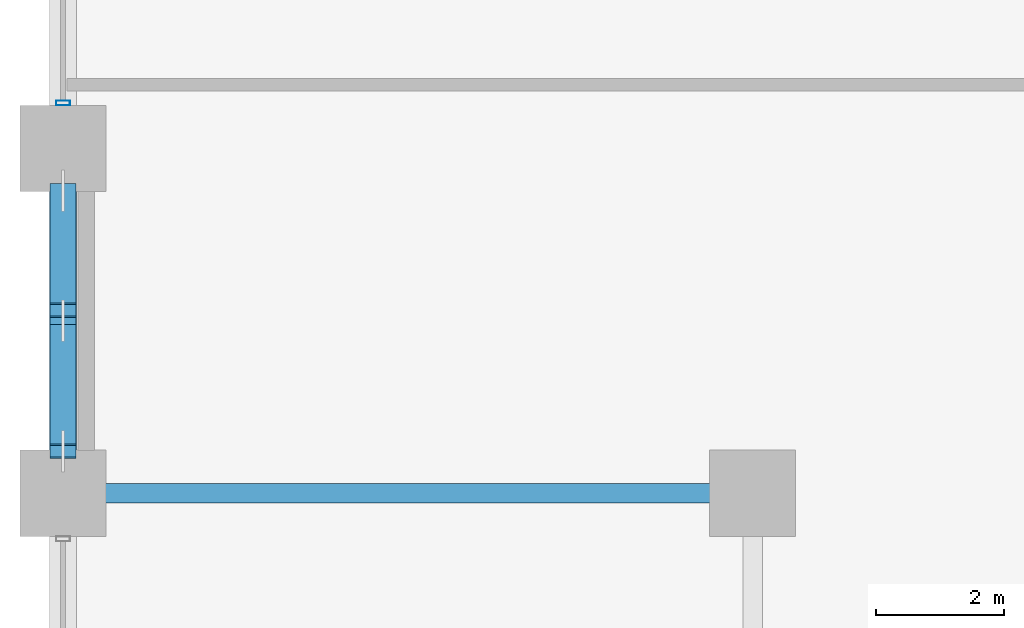
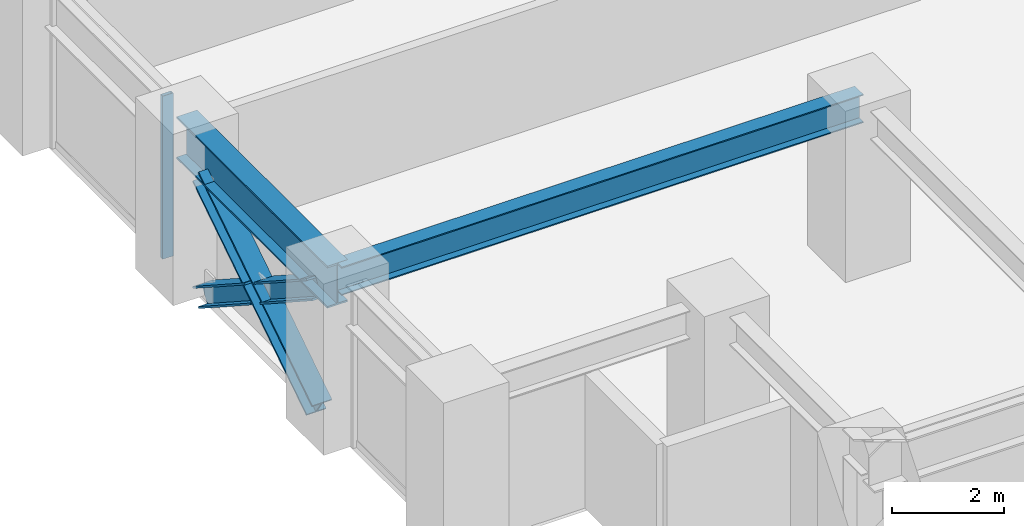
# One storey, part 3 of 24: 4 members, 2 beams, 1 element without a shape of its own.
"""IFC4 building model written with IfcOpenShell, lengths in metres."""

import ifcopenshell
import ifcopenshell.guid

model = None  # the IFC model being written
_history = None  # IfcOwnerHistory: only IFC2X3 demands one
_inside = {}  # id of a spatial element -> (the spatial element, [elements in it])
_under = {}  # id of a project, library or spatial element -> (it, [spatial elements below it])
_declared = {}  # id of a project -> (the project, [libraries it declares])
_typed = {}  # id of a type object -> (the type object, [elements of that type])
_made_of = {}  # id of a material, layer set ... -> (it, [elements and type objects made of it])


def new_model(schema):
    """Start an empty IFC model of exactly this schema.

    Asked for "IFC4X3", IfcOpenShell would pick the latest addendum, in which some entities
    have other attributes; the version numbers below select the first issue.
    IFC2X3 requires an IfcOwnerHistory on every rooted entity: one is made here for all.
    """
    global model, _history
    if schema == "IFC4X3":
        model = ifcopenshell.file(schema_version=(4, 3, 0, 0))
    else:
        model = ifcopenshell.file(schema=schema)
    _inside.clear()
    _under.clear()
    _declared.clear()
    _typed.clear()
    _made_of.clear()
    _history = None
    if model.schema == "IFC2X3":
        org = make("IfcOrganization", Name="unknown")
        user = make(
            "IfcPersonAndOrganization",
            ThePerson=make("IfcPerson", FamilyName="unknown"),
            TheOrganization=org,
        )
        app = make(
            "IfcApplication",
            ApplicationDeveloper=org,
            Version="unknown",
            ApplicationFullName="unknown",
            ApplicationIdentifier="unknown",
        )
        _history = make(
            "IfcOwnerHistory",
            OwningUser=user,
            OwningApplication=app,
            ChangeAction="ADDED",
            CreationDate=0,
        )
    return model


def make(cls, **values):
    """One entity of the class cls with the attributes given. An attribute that is None is left unset."""
    return model.create_entity(
        cls, **{name: value for name, value in values.items() if value is not None}
    )


def rooted(cls, **values):
    """An entity with a GlobalId (a new one), such as an element, a storey or a relation."""
    return make(cls, GlobalId=ifcopenshell.guid.new(), OwnerHistory=_history, **values)


def si_unit(unit_type, name, prefix=None):
    """IfcSIUnit, for example si_unit("LENGTHUNIT", "METRE", prefix="MILLI")."""
    return make("IfcSIUnit", UnitType=unit_type, Prefix=prefix, Name=name)


def assignment(units):
    """IfcUnitAssignment: the units of a project."""
    return None if units is None else make("IfcUnitAssignment", Units=units)


def point(xyz):
    """IfcCartesianPoint."""
    return None if xyz is None else make("IfcCartesianPoint", Coordinates=xyz)


def direction(xyz):
    """IfcDirection."""
    return None if xyz is None else make("IfcDirection", DirectionRatios=xyz)


def frame(location, z_axis=None, x_axis=None):
    """IfcAxis2Placement3D, a coordinate frame: its origin and axes. An axis left out is left unset."""
    return make(
        "IfcAxis2Placement3D",
        Location=point(location),
        Axis=direction(z_axis),
        RefDirection=direction(x_axis),
    )


def frame_2d(location, x_axis=None):
    """IfcAxis2Placement2D, a coordinate frame in the plane: its origin and x axis."""
    return make(
        "IfcAxis2Placement2D", Location=point(location), RefDirection=direction(x_axis)
    )


def origin():
    """The frame at (0, 0, 0) with its axes left unset."""
    return frame((0.0, 0.0, 0.0))


def origin_2d():
    """The frame at (0, 0) in the plane with its x axis left unset."""
    return frame_2d((0.0, 0.0))


def place(relative_to, where):
    """IfcLocalPlacement: puts the frame where relative to a parent placement (None: the world)."""
    return make(
        "IfcLocalPlacement", PlacementRelTo=relative_to, RelativePlacement=where
    )


def context(
    kind, dimensions, precision=None, world=None, true_north=None, identifier=None
):
    """IfcGeometricRepresentationContext, for example the 3D "Model" context."""
    return make(
        "IfcGeometricRepresentationContext",
        ContextIdentifier=identifier,
        ContextType=kind,
        CoordinateSpaceDimension=dimensions,
        Precision=precision,
        WorldCoordinateSystem=world,
        TrueNorth=true_north,
    )


def subcontext(parent, identifier, kind, view, scale=None):
    """IfcGeometricRepresentationSubContext, for example "Body" below "Model"."""
    return make(
        "IfcGeometricRepresentationSubContext",
        ContextIdentifier=identifier,
        ContextType=kind,
        ParentContext=parent,
        TargetScale=scale,
        TargetView=view,
    )


def project(units=None, contexts=None):
    """IfcProject with its units and contexts."""
    return rooted(
        "IfcProject",
        Name="project",
        RepresentationContexts=contexts,
        UnitsInContext=assignment(units),
    )


def spatial(cls, under=None, at=None, **own):
    """A site, building, storey or space (cls), placed at a placement, below another one or the project."""
    s = rooted(cls, ObjectPlacement=at, **own)
    if under is not None:
        _under.setdefault(under.id(), (under, []))[1].append(s)
    return s


def profile(cls, at=None, kind="AREA", **sizes):
    """A parametric profile (cls). Its sizes go by their IFC names, for example OverallWidth=200.0."""
    return make(cls, ProfileType=kind, Position=at, **sizes)


def hollow_rectangle(**sizes):
    """IfcRectangleHollowProfileDef."""
    return profile("IfcRectangleHollowProfileDef", **sizes)


def i_section(**sizes):
    """IfcIShapeProfileDef."""
    return profile("IfcIShapeProfileDef", **sizes)


def extrude(swept, where, along, depth):
    """IfcExtrudedAreaSolid: the profile swept, set in the frame where, extruded along a direction by depth."""
    return make(
        "IfcExtrudedAreaSolid",
        SweptArea=swept,
        Position=where,
        ExtrudedDirection=direction(along),
        Depth=depth,
    )


def shape(context_of_items, identifier, shape_type, items):
    """IfcShapeRepresentation: the items that make up one representation, for example the "Body"."""
    return make(
        "IfcShapeRepresentation",
        ContextOfItems=context_of_items,
        RepresentationIdentifier=identifier,
        RepresentationType=shape_type,
        Items=items,
    )


def material(Name=None, Category=None):
    """IfcMaterial."""
    return make("IfcMaterial", Name=Name, Category=Category)


def layer(
    of_material, thickness, ventilated=None, Name=None, Category=None, Priority=None
):
    """IfcMaterialLayer: one layer of a wall or slab, of a material (None: an air gap)."""
    return make(
        "IfcMaterialLayer",
        Material=of_material,
        LayerThickness=thickness,
        IsVentilated=ventilated,
        Name=Name,
        Category=Category,
        Priority=Priority,
    )


def layer_set(layers, Name=None):
    """IfcMaterialLayerSet."""
    return make("IfcMaterialLayerSet", MaterialLayers=layers, LayerSetName=Name)


def material_profile(
    of_material, cross_section, Name=None, Category=None, Priority=None
):
    """IfcMaterialProfile: a cross section and its material."""
    return make(
        "IfcMaterialProfile",
        Name=Name,
        Material=of_material,
        Profile=cross_section,
        Priority=Priority,
        Category=Category,
    )


def profile_set(profiles, Name=None, composite=None):
    """IfcMaterialProfileSet."""
    return make(
        "IfcMaterialProfileSet",
        Name=Name,
        MaterialProfiles=profiles,
        CompositeProfile=composite,
    )


def made_of(thing, what):
    """Note that an element or type object is made of a material, layer set ...; save() writes the relation."""
    if what is not None:
        _made_of.setdefault(what.id(), (what, []))[1].append(thing)
    return thing


def type_object(cls, material=None, **own):
    """A type object (cls), such as IfcWallType, which elements share."""
    return made_of(rooted(cls, **own), material)


def element(
    cls,
    number,
    at=None,
    inside=None,
    cuts=None,
    type_object=None,
    material=None,
    context=None,
    identifier="Body",
    shape_type=None,
    held_by="IfcProductDefinitionShape",
    body=None,
    shapes=None,
    **own,
):
    """One element of the class cls, such as IfcWall. Its Tag is "e" and its number.

    at: its placement. inside: the storey or other place that contains it. cuts: it is an
    opening in that element (IfcRelVoidsElement). A single representation is given by context,
    identifier, shape_type and body (its items); several are given by shapes. held_by: the class
    of the entity that holds the representations. save() writes the other relations.
    """
    e = rooted(cls, Tag="e%d" % number, ObjectPlacement=at, **own)
    if body is not None:
        shapes = [shape(context, identifier, shape_type, body)]
    if shapes is not None:
        e.Representation = make(held_by, Representations=shapes)
    if inside is not None:
        _inside.setdefault(inside.id(), (inside, []))[1].append(e)
    if cuts is not None:
        rooted(
            "IfcRelVoidsElement", RelatingBuildingElement=cuts, RelatedOpeningElement=e
        )
    if type_object is not None:
        _typed.setdefault(type_object.id(), (type_object, []))[1].append(e)
    return made_of(e, material)


def aggregate(whole, parts):
    """IfcRelAggregates: a whole, such as a stair, and the parts it consists of."""
    return rooted("IfcRelAggregates", RelatingObject=whole, RelatedObjects=parts)


def save(model, path):
    """Write the relations noted so far, then the file.

    IfcRelAggregates (storeys below a building ...), IfcRelContainedInSpatialStructure (elements
    in a storey), IfcRelDefinesByType, IfcRelAssociatesMaterial and IfcRelDeclares: one each for
    every whole, place, type object, material and project.
    """
    for whole, parts in _under.values():
        aggregate(whole, parts)
    for where, things in _inside.values():
        rooted(
            "IfcRelContainedInSpatialStructure",
            RelatedElements=things,
            RelatingStructure=where,
        )
    for kind, things in _typed.values():
        rooted("IfcRelDefinesByType", RelatedObjects=things, RelatingType=kind)
    for what, things in _made_of.values():
        rooted("IfcRelAssociatesMaterial", RelatedObjects=things, RelatingMaterial=what)
    for by, libraries in _declared.values():
        rooted("IfcRelDeclares", RelatingContext=by, RelatedDefinitions=libraries)
    model.write(path)


model = new_model("IFC4")

# Units and contexts
model_context = context("Model", 3, precision=1e-05, world=origin(), true_north=direction((0.0, 1.0)))
body_context = subcontext(model_context, "Body", "Model", "MODEL_VIEW")
ifc_project = project(units=[si_unit("LENGTHUNIT", "METRE"), si_unit("AREAUNIT", "SQUARE_METRE"), si_unit("VOLUMEUNIT", "CUBIC_METRE"), si_unit("PLANEANGLEUNIT", "RADIAN"), si_unit("MASSUNIT", "GRAM", prefix="KILO")], contexts=[model_context])

# Site, building, storey
site_placement = place(None, origin())
site = spatial("IfcSite", under=ifc_project, at=site_placement, CompositionType="ELEMENT")
building_placement = place(site_placement, origin())
building = spatial("IfcBuilding", under=site, at=building_placement, Name="Surkhivell Harbour Commons", CompositionType="ELEMENT")
storey_placement = place(building_placement, frame((0.0, 0.0, 30.0)))
storey = spatial("IfcBuildingStorey", under=building, at=storey_placement, Name="L07", CompositionType="ELEMENT", Elevation=30.0)

# Beams
ifc_material_1 = material(Name="Steel S355", Category="steel")
ifc_material_profile_1 = material_profile(ifc_material_1, i_section(OverallWidth=0.306884765625, OverallDepth=0.6201171875, WebThickness=0.01416015625, FlangeThickness=0.023681640625, at=origin_2d()), Name="UB610x305x179")
ifc_profile_set_1 = profile_set([ifc_material_profile_1], Name="Steel S355")
beam_type_1 = type_object("IfcBeamType", Name="BM-GRD-610A", PredefinedType="BEAM", material=ifc_profile_set_1)
beam_1_placement = place(storey_placement, frame((-32.39990234375, -16.199951171875, 3.260009765625), z_axis=(1.0, 0.0, 0.0), x_axis=(0.0, 1.0, 0.0)))
element("IfcBeam", 1, at=beam_1_placement, inside=storey, type_object=beam_type_1, Name="L07 Floor Girder (-32.4,-16.2)", PredefinedType="BEAM", context=body_context, shape_type="SweptSolid", body=[
    extrude(i_section(OverallWidth=0.306884765625, OverallDepth=0.6201171875, WebThickness=0.01416015625, FlangeThickness=0.023681640625, at=origin_2d()), origin(), (0.0, 0.0, 1.0), 10.7998046875),
])
ifc_material_2 = material(Name="Steel S460", Category="steel")
ifc_material_profile_2 = material_profile(ifc_material_2, i_section(OverallWidth=0.419921875, OverallDepth=0.9208984375, WebThickness=0.021484375, FlangeThickness=0.03662109375, at=origin_2d()), Name="UB914x419x388")
ifc_profile_set_2 = profile_set([ifc_material_profile_2], Name="Steel S460")
beam_type_2 = type_object("IfcBeamType", Name="BM-SPN-914A", PredefinedType="SPANDREL", material=ifc_profile_set_2)
beam_2_placement = place(storey_placement, frame((-32.39990234375, -16.199951171875, 3.109619140625), z_axis=(0.0, 1.0, 0.0), x_axis=(-1.0, 0.0, 0.0)))
element("IfcBeam", 2, at=beam_2_placement, inside=storey, type_object=beam_type_2, Name="L07 Tube Spandrel (-32.4,-16.2)", PredefinedType="SPANDREL", context=body_context, shape_type="SweptSolid", body=[
    extrude(i_section(OverallWidth=0.419921875, OverallDepth=0.9208984375, WebThickness=0.021484375, FlangeThickness=0.03662109375, at=origin_2d()), origin(), (0.0, 0.0, 1.0), 5.39990234375),
])

# Curtain wall, member
ifc_material_3 = material(Name="Anodised pale-metal aluminium and insulated glazing", Category="aluminium")
ifc_layer = layer(ifc_material_3, 0.219970703125)
ifc_layer_set = layer_set([ifc_layer], Name="Anodised pale-metal aluminium and insulated glazing")
curtain_wall_type = type_object("IfcCurtainWallType", Name="CW-SYS-Z1", PredefinedType="NOTDEFINED", material=ifc_layer_set)
curtain_wall_placement = place(storey_placement, origin())
curtain_wall = element("IfcCurtainWall", 3, at=curtain_wall_placement, inside=storey, type_object=curtain_wall_type, Name="L07 Curtain Wall CW-L07-E12S1", PredefinedType="NOTDEFINED")
ifc_material_4 = material(Name="Anodised pale-metal aluminium alloy 6063-T6", Category="aluminium")
ifc_material_profile_3 = material_profile(ifc_material_4, hollow_rectangle(XDim=0.074951171875, YDim=0.219970703125, WallThickness=0.00390625, at=origin_2d()), Name="ALU-MULL-75x220")
ifc_profile_set_3 = profile_set([ifc_material_profile_3], Name="Anodised pale-metal aluminium alloy 6063-T6")
member_type_1 = type_object("IfcMemberType", Name="CWM-220", PredefinedType="MULLION", material=ifc_profile_set_3)
member_1_placement = place(storey_placement, frame((-32.39990234375, -10.08544921875, 0.0), z_axis=(0.0, 0.0, 1.0), x_axis=(0.0, -1.0, 0.0)))
member_1 = element("IfcMember", 4, at=member_1_placement, type_object=member_type_1, Name="CW-Z1 mullion 7", PredefinedType="MULLION", context=body_context, shape_type="SweptSolid", body=[
    extrude(hollow_rectangle(XDim=0.074951171875, YDim=0.219970703125, WallThickness=0.00390625, at=origin_2d()), origin(), (0.0, 0.0, 1.0), 3.570068359375),
])
aggregate(curtain_wall, [member_1])

# Members
ifc_material_profile_4 = material_profile(ifc_material_2, i_section(OverallWidth=0.406005859375, OverallDepth=0.416015625, WebThickness=0.026611328125, FlangeThickness=0.0390625, at=origin_2d()), Name="HD400x382")
ifc_profile_set_4 = profile_set([ifc_material_profile_4], Name="Steel S460")
member_type_2 = type_object("IfcMemberType", Name="MEM-BRC-HD382", PredefinedType="BRACE", material=ifc_profile_set_4)
member_2_placement = place(storey_placement, frame((-32.39990234375, -15.5400390625, 0.008056640625), z_axis=(0.0, 0.83910375559, 0.543971403067), x_axis=(-1.0, 0.0, 0.0)))
element("IfcMember", 5, at=member_2_placement, inside=storey, type_object=member_type_2, Name="L07 Perimeter Mega-Brace MB- 10", PredefinedType="BRACE", context=body_context, shape_type="SweptSolid", body=[
    extrude(i_section(OverallWidth=0.406005859375, OverallDepth=0.416015625, WebThickness=0.026611328125, FlangeThickness=0.0390625, at=origin_2d()), origin(), (0.0, 0.0, 1.0), 4.8623046875),
])
for number, where, z_axis, x_axis, name in (
    (6, (-32.39990234375, -11.4599609375, 0.008056640625), (0.0, -0.839117847051, 0.54394966565), (1.0, 0.0, 0.0), "L07 Perimeter Mega-Brace MB- 11"),
    (7, (-32.39990234375, -13.66748046875, 1.439208984375), (0.0, -0.839117847051, 0.54394966565), (1.0, 0.0, 0.0), "L07 Perimeter Mega-Brace MB- 12"),
):
    element("IfcMember", number, at=place(storey_placement, frame(where, z_axis=z_axis, x_axis=x_axis)), inside=storey, type_object=member_type_2, Name=name, PredefinedType="BRACE", context=body_context, shape_type="SweptSolid", body=[
        extrude(i_section(OverallWidth=0.406005859375, OverallDepth=0.416015625, WebThickness=0.026611328125, FlangeThickness=0.0390625, at=origin_2d()), origin(), (0.0, 0.0, 1.0), 2.231689453125),
    ])

save(model, "model.ifc")
